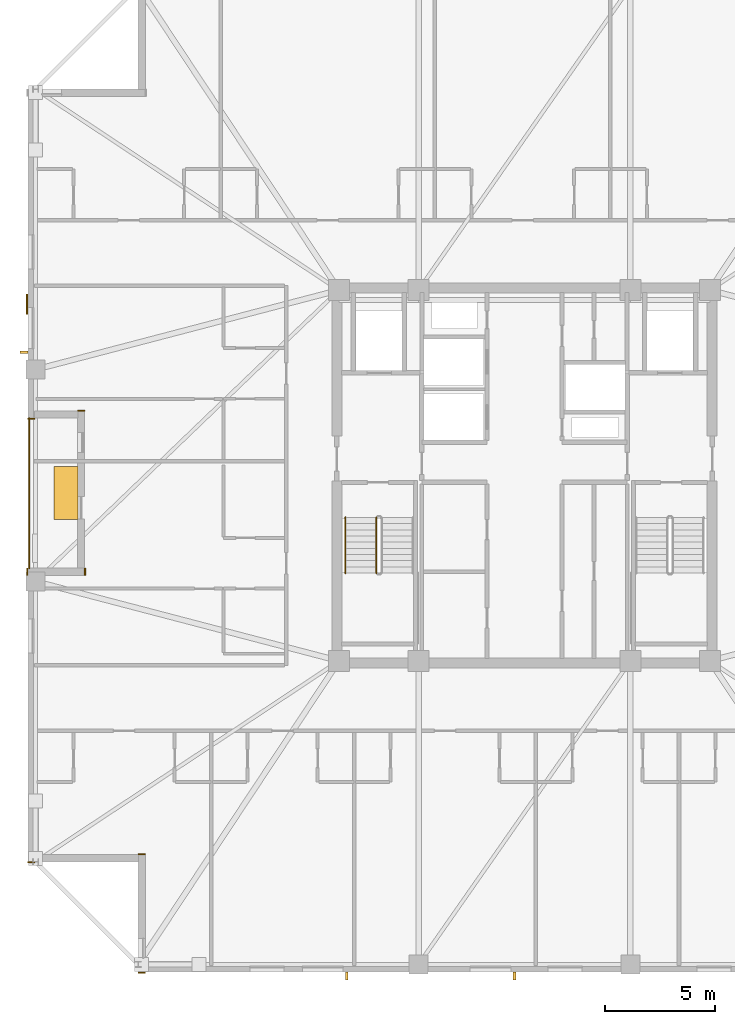
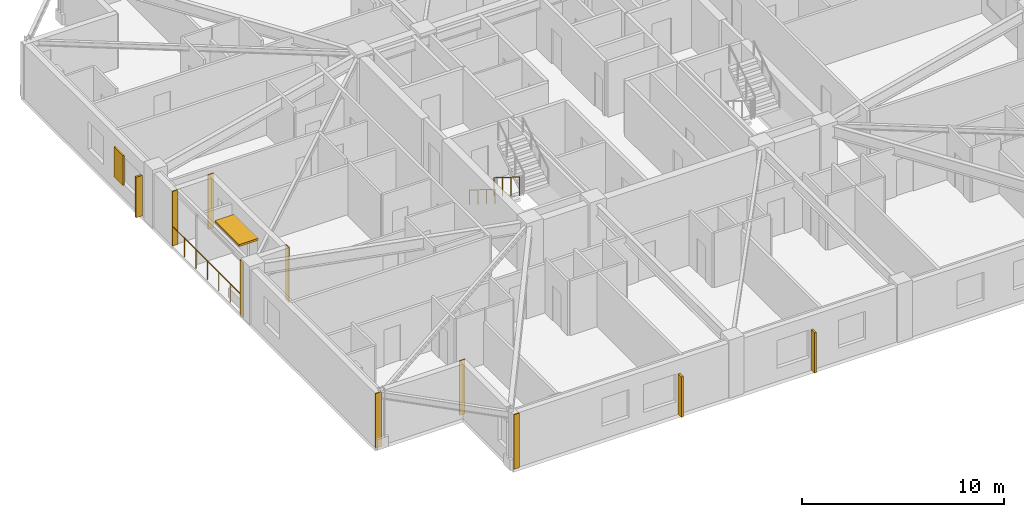
# One storey, part 13 of 17: 7 coverings, 5 shading devices, 3 railings.
"""IFC4 building model written with IfcOpenShell, lengths in metres."""

from ifc_helpers import new_model, si_unit, direction, frame, frame_2d, origin, origin_2d, place, context, subcontext, project, spatial, rectangle, circle, extrude, material, layer, layer_set, type_object, element, save


model = new_model("IFC4")

# Units and contexts
model_context = context("Model", 3, precision=1e-05, world=origin(), true_north=direction((0.0, 1.0)))
body_context = subcontext(model_context, "Body", "Model", "MODEL_VIEW")
ifc_project = project(units=[si_unit("LENGTHUNIT", "METRE"), si_unit("AREAUNIT", "SQUARE_METRE"), si_unit("VOLUMEUNIT", "CUBIC_METRE"), si_unit("PLANEANGLEUNIT", "RADIAN"), si_unit("MASSUNIT", "GRAM", prefix="KILO")], contexts=[model_context])

# Site, building, storey
site_placement = place(None, origin())
site = spatial("IfcSite", under=ifc_project, at=site_placement, CompositionType="ELEMENT")
building_placement = place(site_placement, origin())
building = spatial("IfcBuilding", under=site, at=building_placement, Name="Cairnveth Concourse Tower", CompositionType="ELEMENT")
storey_placement = place(building_placement, frame((0.0, 0.0, 237.5)))
storey = spatial("IfcBuildingStorey", under=building, at=storey_placement, Name="L65", CompositionType="ELEMENT", Elevation=237.5)

# Coverings
ifc_material_1 = material(Name="Dressed Melbourne Bluestone Cladding", Category="masonry")
ifc_layer = layer(ifc_material_1, 0.050048828125)
ifc_layer_set = layer_set([ifc_layer], Name="Dressed Melbourne Bluestone Cladding")
covering_type = type_object("IfcCoveringType", Name="DRESSED BLUESTONE PLINTH CLADDING 50", PredefinedType="CLADDING", material=ifc_layer_set)
for number, where, z_axis, x_axis, name in (
    (1, (29.820068359375, 41.580078125, 0.0), (0.0, 0.0, 1.0), (-1.0, 0.0, 0.0), "Melbourne Bluestone Corner Quoin L65-975"),
    (2, (34.820068359375, 16.47998046875, 0.0), (0.0, 0.0, 1.0), (-1.0, 0.0, 0.0), "Melbourne Bluestone Corner Quoin L65-985"),
    (3, (34.820068359375, 21.840087890625, 0.0), (0.0, 0.0, 1.0), (-1.0, 0.0, 0.0), "Melbourne Bluestone Corner Quoin L65-986"),
    (4, (29.820068359375, 21.47998046875, 0.0), (0.0, 0.0, 1.0), (-1.0, 0.0, 0.0), "Melbourne Bluestone Corner Quoin L65-987"),
    (5, (29.47998046875, 34.47998046875, 0.0), (0.0, 0.0, 1.0), (0.0, 1.0, 0.0), "Melbourne Bluestone Corner Quoin L65-988"),
    (6, (32.090087890625, 34.47998046875, 0.0), (0.0, 0.0, 1.0), (0.0, 1.0, 0.0), "Melbourne Bluestone Corner Quoin L65-989"),
    (7, (32.070068359375, 41.93994140625, 0.0), (0.0, 0.0, 1.0), (-1.0, 0.0, 0.0), "Melbourne Bluestone Corner Quoin L65-990"),
):
    element("IfcCovering", number, at=place(storey_placement, frame(where, z_axis=z_axis, x_axis=x_axis)), inside=storey, type_object=covering_type, Name=name, PredefinedType="CLADDING", context=body_context, shape_type="SweptSolid", body=[
        extrude(rectangle(XDim=0.320068359375, YDim=0.050048828125, at=frame_2d((0.16015625, 0.0))), origin(), (0.0, 0.0, 1.0), 3.2900390625),
    ])

# Shading devices
ifc_material_2 = material(Name="Architectural Bronze Anodised Aluminium 6063-T6", Category="aluminium")
shading_device_type_1 = type_object("IfcShadingDeviceType", Name="GOTHIC BRONZE VERTICAL LANCET FIN", PredefinedType="USERDEFINED", material=ifc_material_2)
for number, where, z_axis, x_axis, name in (
    (8, (29.324951171875, 44.590576171875, 0.030029296875), (0.0, 0.0, 1.0), (0.0, 1.0, 0.0), "Gothic Bronze Vertical Fin L65-0-1"),
    (9, (51.54638671875, 16.324951171875, 0.030029296875), (0.0, 0.0, 1.0), (1.0, 0.0, 0.0), "Gothic Bronze Vertical Fin L65-9-5"),
    (10, (43.94580078125, 16.324951171875, 0.030029296875), (0.0, 0.0, 1.0), (1.0, 0.0, 0.0), "Gothic Bronze Vertical Fin L65-9-7"),
):
    element("IfcShadingDevice", number, at=place(storey_placement, frame(where, z_axis=z_axis, x_axis=x_axis)), inside=storey, type_object=shading_device_type_1, Name=name, ObjectType="VERTICAL FIN", PredefinedType="USERDEFINED", context=body_context, shape_type="SweptSolid", body=[
        extrude(rectangle(XDim=0.1201171875, YDim=0.360107421875, at=origin_2d()), origin(), (0.0, 0.0, 1.0), 2.43798828125),
    ])
shading_device_type_2 = type_object("IfcShadingDeviceType", Name="SPIRAL TERRACE SUNSHADE CANOPY", PredefinedType="USERDEFINED", material=ifc_material_2)
shading_device_1_placement = place(storey_placement, frame((31.22998046875, 38.199951171875, 2.31787109375), z_axis=(0.0, 0.0, 1.0), x_axis=(1.0, 0.0, 0.0)))
element("IfcShadingDevice", 11, at=shading_device_1_placement, inside=storey, type_object=shading_device_type_2, Name="Spiral Terrace Sunshade L65", ObjectType="TERRACE SUNSHADE", PredefinedType="USERDEFINED", context=body_context, shape_type="SweptSolid", body=[
    extrude(rectangle(XDim=1.10009765625, YDim=2.39990234375, at=origin_2d()), origin(), (0.0, 0.0, 1.0), 0.1201171875),
])

# Railings
ifc_material_3 = material(Name="Steel Grade 350", Category="steel")
railing_type_1 = type_object("IfcRailingType", Name="STAIR GUARDRAIL 1150", PredefinedType="GUARDRAIL", material=ifc_material_3)
railing_1_placement = place(storey_placement, frame((45.2900390625, 37.10009765625, 0.175048828125)))
element("IfcRailing", 12, at=railing_1_placement, inside=storey, type_object=railing_type_1, Name="L65 ST-1 stair guard 1", PredefinedType="GUARDRAIL", context=body_context, shape_type="SweptSolid", body=[
    extrude(circle(Radius=0.02392578125, at=origin_2d()), frame((0.0, 0.0, 1.1259765625), z_axis=(0.0, -0.848007534815, 0.529984170421), x_axis=(1.0, 0.0, 0.0)), (0.0, 0.0, 1.0), 2.9716796875),
    extrude(circle(Radius=0.02099609375, at=origin_2d()), origin(), (0.0, 0.0, 1.0), 1.101806640625),
    extrude(circle(Radius=0.02099609375, at=origin_2d()), frame((0.0, -0.840087890625, 0.52490234375)), (0.0, 0.0, 1.0), 1.101806640625),
    extrude(circle(Radius=0.02099609375, at=origin_2d()), frame((0.0, -1.679931640625, 1.050048828125)), (0.0, 0.0, 1.0), 1.101806640625),
    extrude(circle(Radius=0.02099609375, at=origin_2d()), frame((0.0, -2.52001953125, 1.574951171875)), (0.0, 0.0, 1.0), 1.101806640625),
])
railing_type_2 = type_object("IfcRailingType", Name="STAIR WALL HANDRAIL 900", PredefinedType="HANDRAIL", material=ifc_material_3)
railing_2_placement = place(storey_placement, frame((43.889892578125, 37.10009765625, 0.175048828125)))
element("IfcRailing", 13, at=railing_2_placement, inside=storey, type_object=railing_type_2, Name="L65 ST-1 stair handrail 1", PredefinedType="HANDRAIL", context=body_context, shape_type="SweptSolid", body=[
    extrude(circle(Radius=0.02392578125, at=origin_2d()), frame((0.0, 0.0, 0.8759765625), z_axis=(0.0, -0.848007534815, 0.529984170421), x_axis=(1.0, 0.0, 0.0)), (0.0, 0.0, 1.0), 2.9716796875),
    extrude(circle(Radius=0.02099609375, at=origin_2d()), origin(), (0.0, 0.0, 1.0), 0.851806640625),
    extrude(circle(Radius=0.02099609375, at=origin_2d()), frame((0.0, -0.840087890625, 0.52490234375)), (0.0, 0.0, 1.0), 0.851806640625),
    extrude(circle(Radius=0.02099609375, at=origin_2d()), frame((0.0, -1.679931640625, 1.050048828125)), (0.0, 0.0, 1.0), 0.851806640625),
    extrude(circle(Radius=0.02099609375, at=origin_2d()), frame((0.0, -2.52001953125, 1.574951171875)), (0.0, 0.0, 1.0), 0.851806640625),
])
railing_type_3 = type_object("IfcRailingType", Name="TERRACE BRONZE BALUSTRADE 1150", PredefinedType="BALUSTRADE", material=ifc_material_2)
railing_3_placement = place(storey_placement, frame((29.56005859375, 34.800048828125, 0.0)))
element("IfcRailing", 14, at=railing_3_placement, inside=storey, type_object=railing_type_3, Name="Terrace Balustrade RL-L65-TERR", PredefinedType="BALUSTRADE", context=body_context, shape_type="SweptSolid", body=[
    extrude(circle(Radius=0.02490234375, at=origin_2d()), frame((0.0, 0.0, 1.125), z_axis=(0.0, 1.0, 0.0), x_axis=(-1.0, 0.0, 0.0)), (0.0, 0.0, 1.0), 6.800048828125),
    extrude(circle(Radius=0.02099609375, at=origin_2d()), origin(), (0.0, 0.0, 1.0), 1.099853515625),
    extrude(circle(Radius=0.02099609375, at=origin_2d()), frame((0.0, 1.13330078125, 0.0)), (0.0, 0.0, 1.0), 1.099853515625),
    extrude(circle(Radius=0.02099609375, at=origin_2d()), frame((0.0, 2.2666015625, 0.0)), (0.0, 0.0, 1.0), 1.099853515625),
    extrude(circle(Radius=0.02099609375, at=origin_2d()), frame((0.0, 3.39990234375, 0.0)), (0.0, 0.0, 1.0), 1.099853515625),
    extrude(circle(Radius=0.02099609375, at=origin_2d()), frame((0.0, 4.533447265625, 0.0)), (0.0, 0.0, 1.0), 1.099853515625),
    extrude(circle(Radius=0.02099609375, at=origin_2d()), frame((0.0, 5.666748046875, 0.0)), (0.0, 0.0, 1.0), 1.099853515625),
    extrude(circle(Radius=0.02099609375, at=origin_2d()), frame((0.0, 6.800048828125, 0.0)), (0.0, 0.0, 1.0), 1.099853515625),
])

# Shading device
shading_device_type_3 = type_object("IfcShadingDeviceType", Name="WEST SOLAR PERFORATED SHUTTER", PredefinedType="SHUTTER", material=ifc_material_2)
shading_device_2_placement = place(storey_placement, frame((29.464111328125, 46.760498046875, 0.7998046875), z_axis=(0.0, 0.0, 1.0), x_axis=(1.0, 0.0, 0.0)))
element("IfcShadingDevice", 15, at=shading_device_2_placement, inside=storey, type_object=shading_device_type_3, Name="West Solar Shutter L65", PredefinedType="SHUTTER", context=body_context, shape_type="SweptSolid", body=[
    extrude(rectangle(XDim=0.080078125, YDim=0.89990234375, at=origin_2d()), origin(), (0.0, 0.0, 1.0), 1.800048828125),
])

save(model, "model.ifc")
